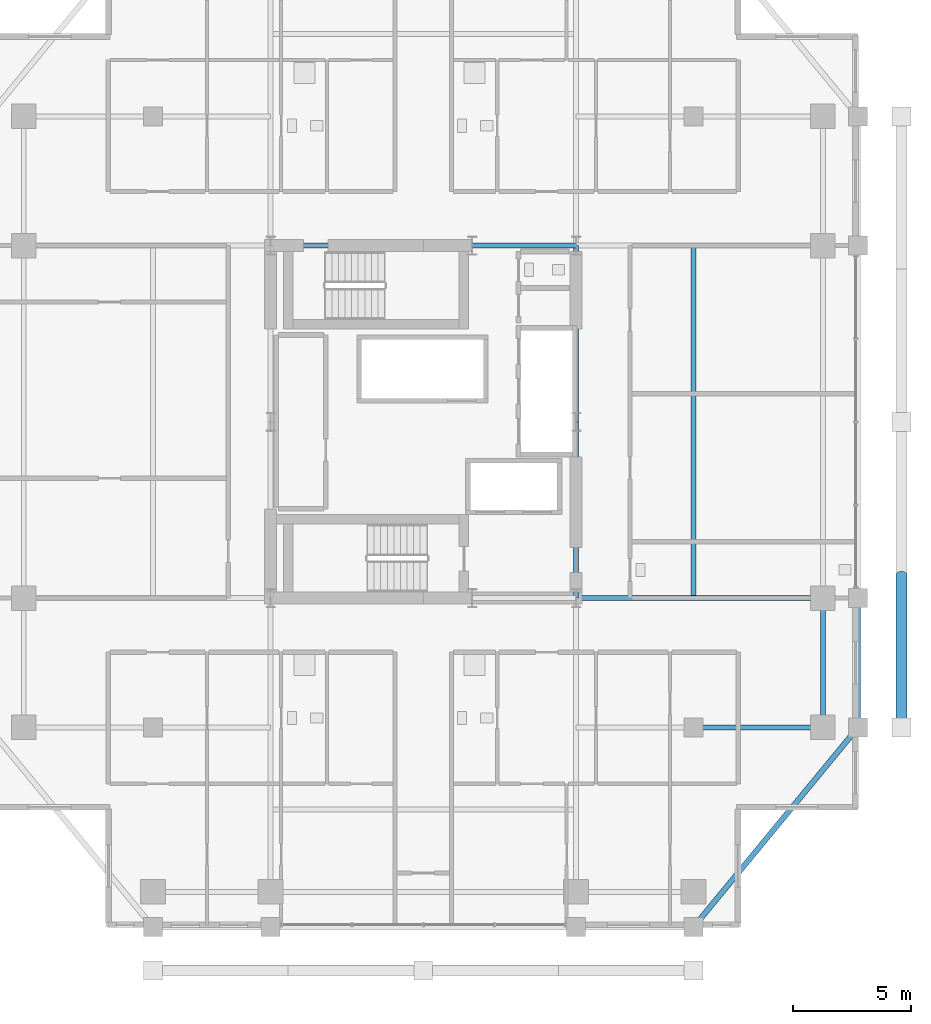
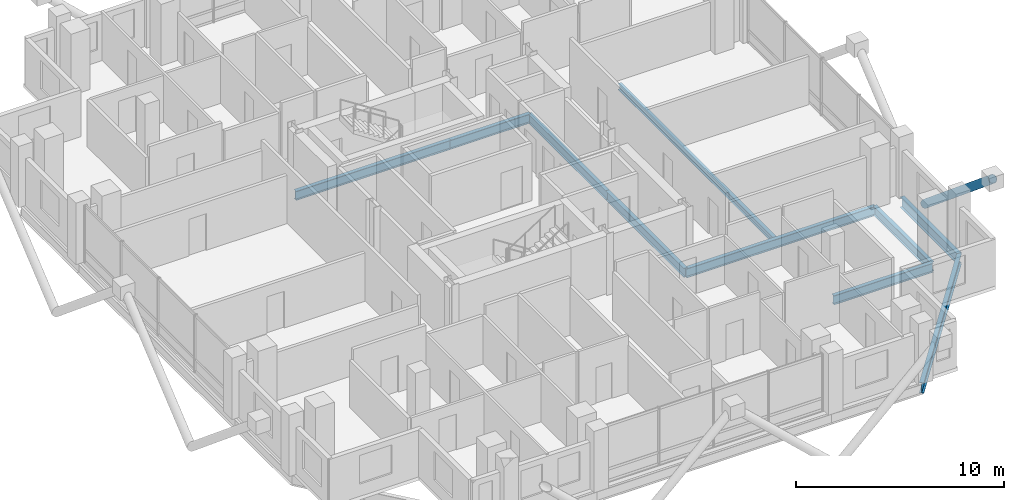
# One storey, part 9 of 24: 10 beams, 1 member.
"""IFC4 building model written with IfcOpenShell, lengths in metres."""

from ifc_helpers import new_model, si_unit, direction, frame, origin, origin_2d, place, context, subcontext, project, spatial, hollow_circle, i_section, extrude, material, material_profile, profile_set, type_object, element, save


model = new_model("IFC4")

# Units and contexts
model_context = context("Model", 3, precision=1e-05, world=origin(), true_north=direction((0.0, 1.0)))
body_context = subcontext(model_context, "Body", "Model", "MODEL_VIEW")
ifc_project = project(units=[si_unit("LENGTHUNIT", "METRE"), si_unit("AREAUNIT", "SQUARE_METRE"), si_unit("VOLUMEUNIT", "CUBIC_METRE"), si_unit("PLANEANGLEUNIT", "RADIAN"), si_unit("MASSUNIT", "GRAM", prefix="KILO")], contexts=[model_context])

# Site, building, storey
site_placement = place(None, origin())
site = spatial("IfcSite", under=ifc_project, at=site_placement, CompositionType="ELEMENT")
building_placement = place(site_placement, origin())
building = spatial("IfcBuilding", under=site, at=building_placement, Name="Barlavira Tower and Art Museum", CompositionType="ELEMENT")
storey_placement = place(building_placement, frame((0.0, 0.0, 194.39990234375)))
storey = spatial("IfcBuildingStorey", under=building, at=storey_placement, Name="L50", CompositionType="ELEMENT", Elevation=194.39990234375)

# Member
ifc_material = material(Name="Steel S355", Category="steel")
ifc_material_profile_1 = material_profile(ifc_material, hollow_circle(Radius=0.228515625, WallThickness=0.02001953125, at=origin_2d()), Name="CHS 457.0x20.0")
ifc_profile_set_1 = profile_set([ifc_material_profile_1], Name="Steel S355")
member_type = type_object("IfcMemberType", Name="Pale-Metal Exoskeleton Diagrid Tube CHS 457x20 Steel S355", PredefinedType="BRACE", material=ifc_profile_set_1)
member_placement = place(storey_placement, frame((20.35009765625, -6.5, -1.919921875), z_axis=(0.0, -0.769196053329, 0.639012857104), x_axis=(1.0, 0.0, 0.0)))
element("IfcMember", 1, at=member_placement, inside=storey, type_object=member_type, Name="L50 Exoskeleton Diagrid Tube E", PredefinedType="BRACE", context=body_context, shape_type="SweptSolid", body=[
    extrude(hollow_circle(Radius=0.228515625, WallThickness=0.02001953125, at=origin_2d()), origin(), (0.0, 0.0, 1.0), 8.450439453125),
])

# Beams
ifc_material_profile_2 = material_profile(ifc_material, i_section(OverallWidth=0.22998046875, OverallDepth=0.616943359375, WebThickness=0.01318359375, FlangeThickness=0.022216796875, at=origin_2d()), Name="W610x140.0")
ifc_profile_set_2 = profile_set([ifc_material_profile_2], Name="Steel S355")
beam_type_1 = type_object("IfcBeamType", Name="Upper Shaft Spandrel Edge Beam W610x140 Steel S355", PredefinedType="SPANDREL", material=ifc_profile_set_2)
beam_1_placement = place(storey_placement, frame((11.5, -21.5, -0.5283203125), z_axis=(0.635707252861, 0.771930235617, 0.0), x_axis=(-0.771930235617, 0.635707252861, 0.0)))
element("IfcBeam", 2, at=beam_1_placement, inside=storey, type_object=beam_type_1, Name="L50 Spandrel 4", PredefinedType="SPANDREL", context=body_context, shape_type="SweptSolid", body=[
    extrude(i_section(OverallWidth=0.22998046875, OverallDepth=0.616943359375, WebThickness=0.01318359375, FlangeThickness=0.022216796875, at=origin_2d()), origin(), (0.0, 0.0, 1.0), 11.011474609375),
])
beam_2_placement = place(storey_placement, frame((18.5, -13.0, -0.5283203125), z_axis=(0.0, 1.0, 0.0), x_axis=(-1.0, 0.0, 0.0)))
element("IfcBeam", 3, at=beam_2_placement, inside=storey, type_object=beam_type_1, Name="L50 Spandrel 5", PredefinedType="SPANDREL", context=body_context, shape_type="SweptSolid", body=[
    extrude(i_section(OverallWidth=0.22998046875, OverallDepth=0.616943359375, WebThickness=0.01318359375, FlangeThickness=0.022216796875, at=origin_2d()), origin(), (0.0, 0.0, 1.0), 5.5),
])
ifc_material_profile_3 = material_profile(ifc_material, i_section(OverallWidth=0.205078125, OverallDepth=0.35400390625, WebThickness=0.009521484375, FlangeThickness=0.016845703125, at=origin_2d()), Name="W360x79.0")
ifc_profile_set_3 = profile_set([ifc_material_profile_3], Name="Steel S355")
beam_type_2 = type_object("IfcBeamType", Name="Zone 3 Composite Floor Joist W360x79 Steel S355", PredefinedType="JOIST", material=ifc_profile_set_3)
beam_3_placement = place(storey_placement, frame((11.5, -7.5, -0.39697265625), z_axis=(0.0, 1.0, 0.0), x_axis=(-1.0, 0.0, 0.0)))
element("IfcBeam", 4, at=beam_3_placement, inside=storey, type_object=beam_type_2, Name="L50 Joist W2", PredefinedType="JOIST", context=body_context, shape_type="SweptSolid", body=[
    extrude(i_section(OverallWidth=0.205078125, OverallDepth=0.35400390625, WebThickness=0.009521484375, FlangeThickness=0.016845703125, at=origin_2d()), origin(), (0.0, 0.0, 1.0), 15.0),
])
ifc_material_profile_4 = material_profile(ifc_material, i_section(OverallWidth=0.2109375, OverallDepth=0.5390625, WebThickness=0.01171875, FlangeThickness=0.018798828125, at=origin_2d()), Name="W530x109.0")
ifc_profile_set_4 = profile_set([ifc_material_profile_4], Name="Steel S355")
beam_type_3 = type_object("IfcBeamType", Name="Zone 3-4 Primary Floor Girder W530x109 Steel S355", PredefinedType="BEAM", material=ifc_profile_set_4)
beam_4_placement = place(storey_placement, frame((-6.5, 7.5, -0.489501953125), z_axis=(1.0, 0.0, 0.0), x_axis=(0.0, 1.0, 0.0)))
element("IfcBeam", 5, at=beam_4_placement, inside=storey, type_object=beam_type_3, Name="L50 Girder C-N1", PredefinedType="BEAM", context=body_context, shape_type="SweptSolid", body=[
    extrude(i_section(OverallWidth=0.2109375, OverallDepth=0.5390625, WebThickness=0.01171875, FlangeThickness=0.018798828125, at=origin_2d()), origin(), (0.0, 0.0, 1.0), 8.580078125),
])
beam_5_placement = place(storey_placement, frame((2.080078125, 7.5, -0.489501953125), z_axis=(1.0, 0.0, 0.0), x_axis=(0.0, 1.0, 0.0)))
element("IfcBeam", 6, at=beam_5_placement, inside=storey, type_object=beam_type_3, Name="L50 Girder C-N2", PredefinedType="BEAM", context=body_context, shape_type="SweptSolid", body=[
    extrude(i_section(OverallWidth=0.2109375, OverallDepth=0.5390625, WebThickness=0.01171875, FlangeThickness=0.018798828125, at=origin_2d()), origin(), (0.0, 0.0, 1.0), 4.419921875),
])
for number, where, z_axis, x_axis, name in (
    (7, (6.5, -7.5, -0.489501953125), (0.0, 1.0, 0.0), (-1.0, 0.0, 0.0), "L50 Girder C-E1"),
    (8, (6.5, 0.0, -0.489501953125), (0.0, 1.0, 0.0), (-1.0, 0.0, 0.0), "L50 Girder C-E2"),
):
    element("IfcBeam", number, at=place(storey_placement, frame(where, z_axis=z_axis, x_axis=x_axis)), inside=storey, type_object=beam_type_3, Name=name, PredefinedType="BEAM", context=body_context, shape_type="SweptSolid", body=[
        extrude(i_section(OverallWidth=0.2109375, OverallDepth=0.5390625, WebThickness=0.01171875, FlangeThickness=0.018798828125, at=origin_2d()), origin(), (0.0, 0.0, 1.0), 7.5),
    ])
beam_6_placement = place(storey_placement, frame((17.0, -13.0, -0.489501953125), z_axis=(0.0, 1.0, 0.0), x_axis=(-1.0, 0.0, 0.0)))
element("IfcBeam", 9, at=beam_6_placement, inside=storey, type_object=beam_type_3, Name="L50 Girder M-E1", PredefinedType="BEAM", context=body_context, shape_type="SweptSolid", body=[
    extrude(i_section(OverallWidth=0.2109375, OverallDepth=0.5390625, WebThickness=0.01171875, FlangeThickness=0.018798828125, at=origin_2d()), origin(), (0.0, 0.0, 1.0), 5.5),
])
beam_7_placement = place(storey_placement, frame((6.5, -7.5, -0.489501953125), z_axis=(1.0, 0.0, 0.0), x_axis=(0.0, 1.0, 0.0)))
element("IfcBeam", 10, at=beam_7_placement, inside=storey, type_object=beam_type_3, Name="L50 Girder R-E1", PredefinedType="BEAM", context=body_context, shape_type="SweptSolid", body=[
    extrude(i_section(OverallWidth=0.2109375, OverallDepth=0.5390625, WebThickness=0.01171875, FlangeThickness=0.018798828125, at=origin_2d()), origin(), (0.0, 0.0, 1.0), 10.5),
])
beam_8_placement = place(storey_placement, frame((11.5, -13.0, -0.489501953125), z_axis=(1.0, 0.0, 0.0), x_axis=(0.0, 1.0, 0.0)))
element("IfcBeam", 11, at=beam_8_placement, inside=storey, type_object=beam_type_3, Name="L50 Girder I-S4", PredefinedType="BEAM", context=body_context, shape_type="SweptSolid", body=[
    extrude(i_section(OverallWidth=0.2109375, OverallDepth=0.5390625, WebThickness=0.01171875, FlangeThickness=0.018798828125, at=origin_2d()), origin(), (0.0, 0.0, 1.0), 5.5),
])

save(model, "model.ifc")
